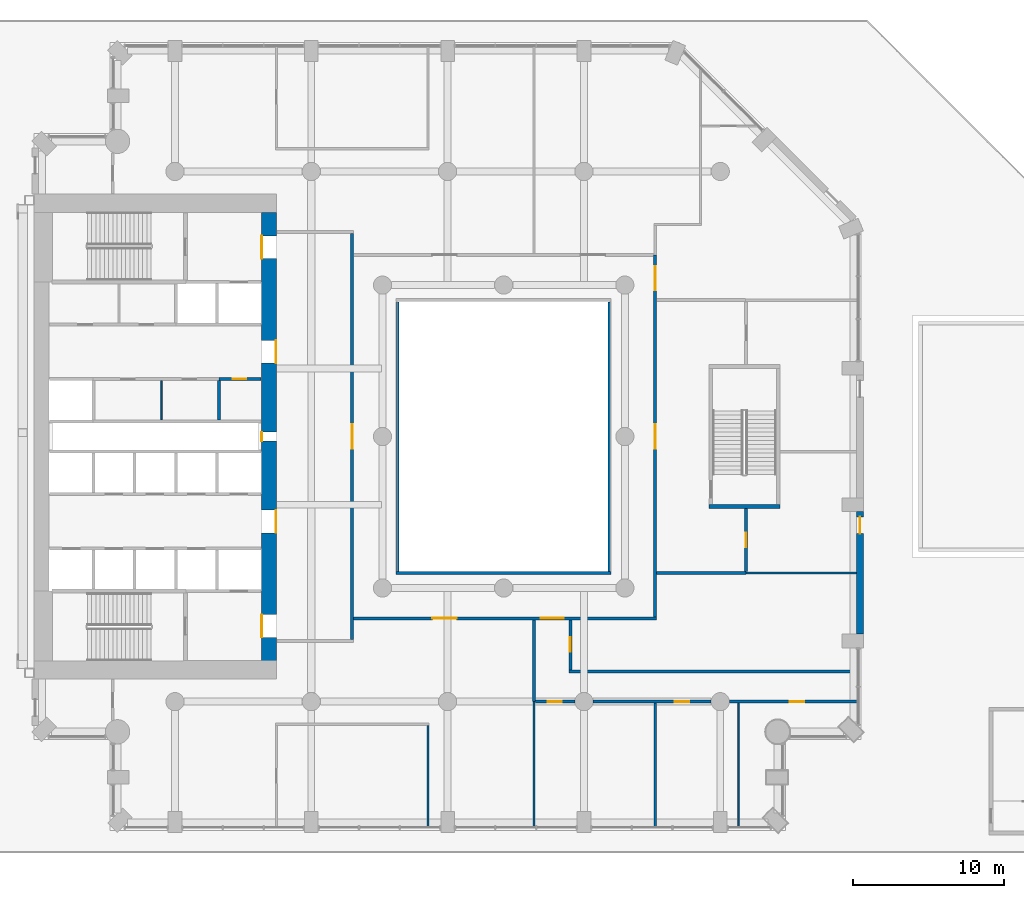
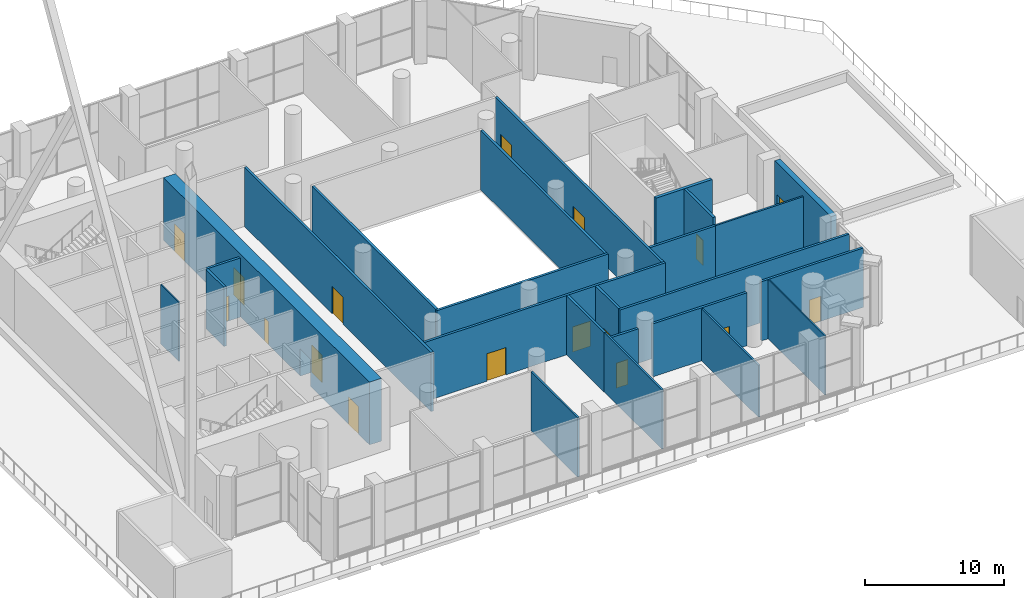
# One storey, part 14 of 26: 25 walls, 17 doors, 17 openings.
"""IFC4 building model written with IfcOpenShell, lengths in metres."""

from ifc_helpers import new_model, si_unit, direction, frame, frame_2d, origin, place, context, subcontext, project, spatial, rectangle, extrude, material, layer, layer_set, type_object, element, fill, save


model = new_model("IFC4")

# Units and contexts
model_context = context("Model", 3, precision=1e-05, world=origin(), true_north=direction((0.0, 1.0)))
body_context = subcontext(model_context, "Body", "Model", "MODEL_VIEW")
ifc_project = project(units=[si_unit("LENGTHUNIT", "METRE"), si_unit("AREAUNIT", "SQUARE_METRE"), si_unit("VOLUMEUNIT", "CUBIC_METRE"), si_unit("PLANEANGLEUNIT", "RADIAN"), si_unit("MASSUNIT", "GRAM", prefix="KILO")], contexts=[model_context])

# Site, building, storey
site_placement = place(None, origin())
site = spatial("IfcSite", under=ifc_project, at=site_placement, CompositionType="ELEMENT")
building_placement = place(site_placement, origin())
building = spatial("IfcBuilding", under=site, at=building_placement, Name="Cypress Arch Tower", CompositionType="ELEMENT")
storey_placement = place(building_placement, frame((0.0, 0.0, 50.0)))
storey = spatial("IfcBuildingStorey", under=building, at=storey_placement, Name="L06", CompositionType="ELEMENT", Elevation=50.0)

# Wall, opening, door
ifc_material_1 = material(Name="Brick (red buff blend)", Category="masonry")
ifc_layer_1 = layer(ifc_material_1, 0.449951171875)
ifc_layer_set_1 = layer_set([ifc_layer_1], Name="Brick pier and spandrel wall BW450")
wall_type_1 = type_object("IfcWallType", Name="Brick pier and spandrel wall BW450", PredefinedType="SOLIDWALL", material=ifc_layer_set_1)
wall_1_placement = place(storey_placement, frame((24.52490234375, -13.050048828125, 0.0), z_axis=(0.0, 0.0, 1.0), x_axis=(0.0, 1.0, 0.0)))
wall_1 = element("IfcWall", 1, at=wall_1_placement, inside=storey, type_object=wall_type_1, Name="Brick wall L06 A06.1", PredefinedType="SOLIDWALL", context=body_context, shape_type="SweptSolid", body=[
    extrude(rectangle(XDim=8.10009765625, YDim=0.449951171875, at=frame_2d((4.050048828125, 0.0))), origin(), (0.0, 0.0, 1.0), 5.199951171875),
])
opening_1_placement = place(wall_1_placement, frame((6.64990234375, 0.0, 0.0)))
opening_1 = element("IfcOpeningElement", 2, at=opening_1_placement, cuts=wall_1, Name="Opening DX1100", PredefinedType="OPENING", context=body_context, shape_type="SweptSolid", body=[
    extrude(rectangle(XDim=1.10009765625, YDim=2.39990234375, at=frame_2d((0.550048828125, 1.199951171875))), frame((0.0, 0.23486328125, 0.0), z_axis=(0.0, -1.0, 0.0), x_axis=(1.0, 0.0, 0.0)), (0.0, 0.0, 1.0), 0.469970703125),
])
ifc_material_2 = material(Name="Steel, powder coated, glazed vision panel", Category="steel")
door_type_1 = type_object("IfcDoorType", Name="Exit door single 1100x2400", OperationType="SINGLE_SWING_LEFT", PredefinedType="DOOR", material=ifc_material_2)
door_1_placement = place(opening_1_placement, origin())
door_1 = element("IfcDoor", 3, at=door_1_placement, inside=storey, type_object=door_type_1, Name="Exterior door L06 A06.1.1", OperationType="SINGLE_SWING_LEFT", OverallHeight=2.39990234375, OverallWidth=1.10009765625, PredefinedType="DOOR", context=body_context, shape_type="SweptSolid", body=[
    extrude(rectangle(XDim=1.10009765625, YDim=2.39990234375, at=frame_2d((0.550048828125, 1.199951171875))), frame((0.0, 0.02490234375, 0.0), z_axis=(0.0, -1.0, 0.0), x_axis=(1.0, 0.0, 0.0)), (0.0, 0.0, 1.0), 0.050048828125),
])
fill(opening_1, door_1)

# Wall, openings, doors
ifc_material_3 = material(Name="Concrete C80/95", Category="concrete")
ifc_layer_2 = layer(ifc_material_3, 1.0)
ifc_layer_set_2 = layer_set([ifc_layer_2], Name="Core wall CW1000 C80/95")
wall_type_2 = type_object("IfcWallType", Name="Core wall CW1000 C80/95", PredefinedType="SHEAR", material=ifc_layer_set_2)
wall_2_placement = place(storey_placement, frame((-14.5, -14.800048828125, 0.0), z_axis=(0.0, 0.0, 1.0), x_axis=(0.0, 1.0, 0.0)))
wall_2 = element("IfcWall", 4, at=wall_2_placement, inside=storey, type_object=wall_type_2, Name="Core wall", PredefinedType="SHEAR", context=body_context, shape_type="SweptSolid", body=[
    extrude(rectangle(XDim=29.60009765625, YDim=1.0, at=frame_2d((14.800048828125, 0.0))), origin(), (0.0, 0.0, 1.0), 5.5),
])
opening_2_placement = place(wall_2_placement, frame((1.550048828125, 0.0, 0.0)))
opening_2 = element("IfcOpeningElement", 5, at=opening_2_placement, cuts=wall_2, Name="Opening D07", PredefinedType="OPENING", context=body_context, shape_type="SweptSolid", body=[
    extrude(rectangle(XDim=1.5, YDim=2.39990234375, at=frame_2d((0.75, 1.199951171875))), frame((0.0, 0.510009765625, 0.0), z_axis=(0.0, -1.0, 0.0), x_axis=(1.0, 0.0, 0.0)), (0.0, 0.0, 1.0), 1.02001953125),
])
opening_3_placement = place(wall_2_placement, frame((26.550048828125, 0.0, 0.0)))
opening_3 = element("IfcOpeningElement", 6, at=opening_3_placement, cuts=wall_2, Name="Opening D07", PredefinedType="OPENING", context=body_context, shape_type="SweptSolid", body=[
    extrude(rectangle(XDim=1.5, YDim=2.39990234375, at=frame_2d((0.75, 1.199951171875))), frame((0.0, 0.510009765625, 0.0), z_axis=(0.0, -1.0, 0.0), x_axis=(1.0, 0.0, 0.0)), (0.0, 0.0, 1.0), 1.02001953125),
])
opening_4_placement = place(wall_2_placement, frame((8.449951171875, 0.0, 0.0)))
opening_4 = element("IfcOpeningElement", 7, at=opening_4_placement, cuts=wall_2, Name="Opening D07", PredefinedType="OPENING", context=body_context, shape_type="SweptSolid", body=[
    extrude(rectangle(XDim=1.5, YDim=2.39990234375, at=frame_2d((0.75, 1.199951171875))), frame((0.0, 0.510009765625, 0.0), z_axis=(0.0, -1.0, 0.0), x_axis=(1.0, 0.0, 0.0)), (0.0, 0.0, 1.0), 1.02001953125),
])
opening_5_placement = place(wall_2_placement, frame((19.64990234375, 0.0, 0.0)))
opening_5 = element("IfcOpeningElement", 8, at=opening_5_placement, cuts=wall_2, Name="Opening D07", PredefinedType="OPENING", context=body_context, shape_type="SweptSolid", body=[
    extrude(rectangle(XDim=1.5, YDim=2.39990234375, at=frame_2d((0.75, 1.199951171875))), frame((0.0, 0.510009765625, 0.0), z_axis=(0.0, -1.0, 0.0), x_axis=(1.0, 0.0, 0.0)), (0.0, 0.0, 1.0), 1.02001953125),
])
opening_6_placement = place(wall_2_placement, frame((14.5, 0.0, 0.0)))
opening_6 = element("IfcOpeningElement", 9, at=opening_6_placement, cuts=wall_2, Name="Opening D08", PredefinedType="OPENING", context=body_context, shape_type="SweptSolid", body=[
    extrude(rectangle(XDim=0.60009765625, YDim=2.0, at=frame_2d((0.300048828125, 1.0))), frame((0.0, 0.510009765625, 0.0), z_axis=(0.0, -1.0, 0.0), x_axis=(1.0, 0.0, 0.0)), (0.0, 0.0, 1.0), 1.02001953125),
])
ifc_material_4 = material(Name="Steel framed glazed door, fire resisting", Category="steel")
door_type_2 = type_object("IfcDoorType", Name="Lobby door D07 1500x2400", OperationType="DOUBLE_DOOR_SINGLE_SWING", PredefinedType="DOOR", material=ifc_material_4)
door_2_placement = place(opening_2_placement, origin())
door_2 = element("IfcDoor", 10, at=door_2_placement, inside=storey, type_object=door_type_2, Name="Lobby door", OperationType="DOUBLE_DOOR_SINGLE_SWING", OverallHeight=2.39990234375, OverallWidth=1.5, PredefinedType="DOOR", context=body_context, shape_type="SweptSolid", body=[
    extrude(rectangle(XDim=1.5, YDim=2.39990234375, at=frame_2d((0.75, 1.199951171875))), frame((0.0, 0.4951171875, 0.0), z_axis=(0.0, -1.0, 0.0), x_axis=(1.0, 0.0, 0.0)), (0.0, 0.0, 1.0), 0.050048828125),
])
fill(opening_2, door_2)
door_3_placement = place(opening_3_placement, origin())
door_3 = element("IfcDoor", 11, at=door_3_placement, inside=storey, type_object=door_type_2, Name="Lobby door", OperationType="DOUBLE_DOOR_SINGLE_SWING", OverallHeight=2.39990234375, OverallWidth=1.5, PredefinedType="DOOR", context=body_context, shape_type="SweptSolid", body=[
    extrude(rectangle(XDim=1.5, YDim=2.39990234375, at=frame_2d((0.75, 1.199951171875))), frame((0.0, 0.4951171875, 0.0), z_axis=(0.0, -1.0, 0.0), x_axis=(1.0, 0.0, 0.0)), (0.0, 0.0, 1.0), 0.050048828125),
])
fill(opening_3, door_3)
door_4_placement = place(opening_4_placement, origin())
door_4 = element("IfcDoor", 12, at=door_4_placement, inside=storey, type_object=door_type_2, Name="Lobby door", OperationType="DOUBLE_DOOR_SINGLE_SWING", OverallHeight=2.39990234375, OverallWidth=1.5, PredefinedType="DOOR", context=body_context, shape_type="SweptSolid", body=[
    extrude(rectangle(XDim=1.5, YDim=2.39990234375, at=frame_2d((0.75, 1.199951171875))), frame((0.0, -0.44482421875, 0.0), z_axis=(0.0, -1.0, 0.0), x_axis=(1.0, 0.0, 0.0)), (0.0, 0.0, 1.0), 0.050048828125),
])
fill(opening_4, door_4)
door_5_placement = place(opening_5_placement, origin())
door_5 = element("IfcDoor", 13, at=door_5_placement, inside=storey, type_object=door_type_2, Name="Lobby door", OperationType="DOUBLE_DOOR_SINGLE_SWING", OverallHeight=2.39990234375, OverallWidth=1.5, PredefinedType="DOOR", context=body_context, shape_type="SweptSolid", body=[
    extrude(rectangle(XDim=1.5, YDim=2.39990234375, at=frame_2d((0.75, 1.199951171875))), frame((0.0, -0.44482421875, 0.0), z_axis=(0.0, -1.0, 0.0), x_axis=(1.0, 0.0, 0.0)), (0.0, 0.0, 1.0), 0.050048828125),
])
fill(opening_5, door_5)
ifc_material_5 = material(Name="Steel access door, fire resisting", Category="steel")
door_type_3 = type_object("IfcDoorType", Name="Riser access door D08 600x2000", OperationType="SINGLE_SWING_LEFT", PredefinedType="DOOR", material=ifc_material_5)
door_6_placement = place(opening_6_placement, origin())
door_6 = element("IfcDoor", 14, at=door_6_placement, inside=storey, type_object=door_type_3, Name="Riser access door", OperationType="SINGLE_SWING_RIGHT", OverallHeight=2.0, OverallWidth=0.60009765625, PredefinedType="DOOR", context=body_context, shape_type="SweptSolid", body=[
    extrude(rectangle(XDim=0.60009765625, YDim=2.0, at=frame_2d((0.300048828125, 1.0))), frame((0.0, 0.4951171875, 0.0), z_axis=(0.0, -1.0, 0.0), x_axis=(1.0, 0.0, 0.0)), (0.0, 0.0, 1.0), 0.050048828125),
])
fill(opening_6, door_6)

# Wall, opening, door
ifc_material_6 = material(Name="Concrete blockwork, plastered, rated", Category="masonry")
ifc_layer_3 = layer(ifc_material_6, 0.199951171875)
ifc_layer_set_3 = layer_set([ifc_layer_3], Name="Corridor wall FW200")
wall_type_3 = type_object("IfcWallType", Name="Corridor wall FW200", PredefinedType="PARTITIONING", material=ifc_layer_set_3)
wall_3_placement = place(storey_placement, frame((-9.0, -13.39990234375, 0.0), z_axis=(0.0, 0.0, 1.0), x_axis=(0.0, 1.0, 0.0)))
wall_3 = element("IfcWall", 15, at=wall_3_placement, inside=storey, type_object=wall_type_3, Name="Corridor wall", PredefinedType="PARTITIONING", context=body_context, shape_type="SweptSolid", body=[
    extrude(rectangle(XDim=26.7998046875, YDim=0.199951171875, at=frame_2d((13.39990234375, 0.0))), origin(), (0.0, 0.0, 1.0), 5.199951171875),
])
opening_7_placement = place(wall_3_placement, frame((12.60009765625, 0.0, 0.0)))
opening_7 = element("IfcOpeningElement", 16, at=opening_7_placement, cuts=wall_3, Name="Opening D10", PredefinedType="OPENING", context=body_context, shape_type="SweptSolid", body=[
    extrude(rectangle(XDim=1.60009765625, YDim=2.39990234375, at=frame_2d((0.800048828125, 1.199951171875))), frame((0.0, 0.10986328125, 0.0), z_axis=(0.0, -1.0, 0.0), x_axis=(1.0, 0.0, 0.0)), (0.0, 0.0, 1.0), 0.219970703125),
])
ifc_material_7 = material(Name="Black aluminium glazed door", Category="aluminium")
door_type_4 = type_object("IfcDoorType", Name="Amenity door D10 1600x2400", OperationType="DOUBLE_DOOR_SINGLE_SWING", PredefinedType="DOOR", material=ifc_material_7)
door_7_placement = place(opening_7_placement, origin())
door_7 = element("IfcDoor", 17, at=door_7_placement, inside=storey, type_object=door_type_4, Name="Amenity door", OperationType="DOUBLE_DOOR_SINGLE_SWING", OverallHeight=2.39990234375, OverallWidth=1.60009765625, PredefinedType="DOOR", context=body_context, shape_type="SweptSolid", body=[
    extrude(rectangle(XDim=1.60009765625, YDim=2.39990234375, at=frame_2d((0.800048828125, 1.199951171875))), frame((0.0, 0.02490234375, 0.0), z_axis=(0.0, -1.0, 0.0), x_axis=(1.0, 0.0, 0.0)), (0.0, 0.0, 1.0), 0.050048828125),
])
fill(opening_7, door_7)

# Wall, openings, doors
wall_4_placement = place(storey_placement, frame((-8.89990234375, -12.0, 0.0), z_axis=(0.0, 0.0, 1.0), x_axis=(1.0, 0.0, 0.0)))
wall_4 = element("IfcWall", 18, at=wall_4_placement, inside=storey, type_object=wall_type_3, Name="Corridor wall", PredefinedType="PARTITIONING", context=body_context, shape_type="SweptSolid", body=[
    extrude(rectangle(XDim=20.0, YDim=0.199951171875, at=frame_2d((10.0, 0.0))), origin(), (0.0, 0.0, 1.0), 5.199951171875),
])
opening_8_placement = place(wall_4_placement, frame((5.199951171875, 0.0, 0.0)))
opening_8 = element("IfcOpeningElement", 19, at=opening_8_placement, cuts=wall_4, Name="Opening D10", PredefinedType="OPENING", context=body_context, shape_type="SweptSolid", body=[
    extrude(rectangle(XDim=1.60009765625, YDim=2.39990234375, at=frame_2d((0.800048828125, 1.199951171875))), frame((0.0, 0.10986328125, 0.0), z_axis=(0.0, -1.0, 0.0), x_axis=(1.0, 0.0, 0.0)), (0.0, 0.0, 1.0), 0.219970703125),
])
opening_9_placement = place(wall_4_placement, frame((12.35009765625, 0.0, 0.0)))
opening_9 = element("IfcOpeningElement", 20, at=opening_9_placement, cuts=wall_4, Name="Opening D04", PredefinedType="OPENING", context=body_context, shape_type="SweptSolid", body=[
    extrude(rectangle(XDim=1.5, YDim=2.199951171875, at=frame_2d((0.75, 1.10009765625))), frame((0.0, 0.10986328125, 0.0), z_axis=(0.0, -1.0, 0.0), x_axis=(1.0, 0.0, 0.0)), (0.0, 0.0, 1.0), 0.219970703125),
])
door_8_placement = place(opening_8_placement, origin())
door_8 = element("IfcDoor", 21, at=door_8_placement, inside=storey, type_object=door_type_4, Name="Amenity door", OperationType="DOUBLE_DOOR_SINGLE_SWING", OverallHeight=2.39990234375, OverallWidth=1.60009765625, PredefinedType="DOOR", context=body_context, shape_type="SweptSolid", body=[
    extrude(rectangle(XDim=1.60009765625, YDim=2.39990234375, at=frame_2d((0.800048828125, 1.199951171875))), frame((0.0, 0.02490234375, 0.0), z_axis=(0.0, -1.0, 0.0), x_axis=(1.0, 0.0, 0.0)), (0.0, 0.0, 1.0), 0.050048828125),
])
fill(opening_8, door_8)
ifc_material_8 = material(Name="Timber double door", Category="wood")
door_type_5 = type_object("IfcDoorType", Name="Double door D04 1500x2200", OperationType="DOUBLE_DOOR_SINGLE_SWING", PredefinedType="DOOR", material=ifc_material_8)
door_9_placement = place(opening_9_placement, origin())
door_9 = element("IfcDoor", 22, at=door_9_placement, inside=storey, type_object=door_type_5, Name="Double door", OperationType="DOUBLE_DOOR_SINGLE_SWING", OverallHeight=2.199951171875, OverallWidth=1.5, PredefinedType="DOOR", context=body_context, shape_type="SweptSolid", body=[
    extrude(rectangle(XDim=1.5, YDim=2.199951171875, at=frame_2d((0.75, 1.10009765625))), frame((0.0, 0.02490234375, 0.0), z_axis=(0.0, -1.0, 0.0), x_axis=(1.0, 0.0, 0.0)), (0.0, 0.0, 1.0), 0.050048828125),
])
fill(opening_9, door_9)

# Walls
wall_5_placement = place(storey_placement, frame((-6.0, -8.89990234375, 0.0), z_axis=(0.0, 0.0, 1.0), x_axis=(0.0, 1.0, 0.0)))
element("IfcWall", 23, at=wall_5_placement, inside=storey, type_object=wall_type_3, Name="Corridor wall", PredefinedType="PARTITIONING", context=body_context, shape_type="SweptSolid", body=[
    extrude(rectangle(XDim=17.7998046875, YDim=0.199951171875, at=frame_2d((8.89990234375, 0.0))), origin(), (0.0, 0.0, 1.0), 5.199951171875),
])
wall_6_placement = place(storey_placement, frame((-6.10009765625, -9.0, 0.0), z_axis=(0.0, 0.0, 1.0), x_axis=(1.0, 0.0, 0.0)))
element("IfcWall", 24, at=wall_6_placement, inside=storey, type_object=wall_type_3, Name="Corridor wall", PredefinedType="PARTITIONING", context=body_context, shape_type="SweptSolid", body=[
    extrude(rectangle(XDim=14.2001953125, YDim=0.199951171875, at=frame_2d((7.10009765625, 0.0))), origin(), (0.0, 0.0, 1.0), 5.199951171875),
])
wall_7_placement = place(storey_placement, frame((3.0, -17.47998046875, 0.0), z_axis=(0.0, 0.0, 1.0), x_axis=(0.0, 1.0, 0.0)))
element("IfcWall", 25, at=wall_7_placement, inside=storey, type_object=wall_type_3, Name="Corridor wall", PredefinedType="PARTITIONING", context=body_context, shape_type="SweptSolid", body=[
    extrude(rectangle(XDim=5.3798828125, YDim=0.199951171875, at=frame_2d((2.68994140625, 0.0))), origin(), (0.0, 0.0, 1.0), 5.199951171875),
])

# Wall, opening, door
wall_8_placement = place(storey_placement, frame((3.10009765625, -17.5, 0.0), z_axis=(0.0, 0.0, 1.0), x_axis=(1.0, 0.0, 0.0)))
wall_8 = element("IfcWall", 26, at=wall_8_placement, inside=storey, type_object=wall_type_3, Name="Corridor wall", PredefinedType="PARTITIONING", context=body_context, shape_type="SweptSolid", body=[
    extrude(rectangle(XDim=2.599853515625, YDim=0.199951171875, at=frame_2d((1.2998046875, 0.0))), origin(), (0.0, 0.0, 1.0), 4.64990234375),
])
opening_10_placement = place(wall_8_placement, frame((0.800048828125, 0.0, 0.0)))
opening_10 = element("IfcOpeningElement", 27, at=opening_10_placement, cuts=wall_8, Name="Opening D02", PredefinedType="OPENING", context=body_context, shape_type="SweptSolid", body=[
    extrude(rectangle(XDim=0.949951171875, YDim=2.199951171875, at=frame_2d((0.47509765625, 1.10009765625))), frame((0.0, 0.10986328125, 0.0), z_axis=(0.0, -1.0, 0.0), x_axis=(1.0, 0.0, 0.0)), (0.0, 0.0, 1.0), 0.219970703125),
])
ifc_material_9 = material(Name="Timber flush door, fire resisting", Category="wood")
door_type_6 = type_object("IfcDoorType", Name="Room door D02 950x2200", OperationType="SINGLE_SWING_LEFT", PredefinedType="DOOR", material=ifc_material_9)
door_10_placement = place(opening_10_placement, origin())
door_10 = element("IfcDoor", 28, at=door_10_placement, inside=storey, type_object=door_type_6, Name="Room door", OperationType="SINGLE_SWING_RIGHT", OverallHeight=2.199951171875, OverallWidth=0.949951171875, PredefinedType="DOOR", context=body_context, shape_type="SweptSolid", body=[
    extrude(rectangle(XDim=0.949951171875, YDim=2.199951171875, at=frame_2d((0.47509765625, 1.10009765625))), frame((0.0, 0.02490234375, 0.0), z_axis=(0.0, -1.0, 0.0), x_axis=(1.0, 0.0, 0.0)), (0.0, 0.0, 1.0), 0.050048828125),
])
fill(opening_10, door_10)

wall_9_placement = place(storey_placement, frame((6.89990234375, -17.5, 0.0), z_axis=(0.0, 0.0, 1.0), x_axis=(1.0, 0.0, 0.0)))
wall_9 = element("IfcWall", 29, at=wall_9_placement, inside=storey, type_object=wall_type_3, Name="Corridor wall", PredefinedType="PARTITIONING", context=body_context, shape_type="SweptSolid", body=[
    extrude(rectangle(XDim=7.800048828125, YDim=0.199951171875, at=frame_2d((3.89990234375, 0.0))), origin(), (0.0, 0.0, 1.0), 4.64990234375),
])
opening_11_placement = place(wall_9_placement, frame((5.39990234375, 0.0, 0.0)))
opening_11 = element("IfcOpeningElement", 30, at=opening_11_placement, cuts=wall_9, Name="Opening D02", PredefinedType="OPENING", context=body_context, shape_type="SweptSolid", body=[
    extrude(rectangle(XDim=0.949951171875, YDim=2.199951171875, at=frame_2d((0.47509765625, 1.10009765625))), frame((0.0, 0.10986328125, 0.0), z_axis=(0.0, -1.0, 0.0), x_axis=(1.0, 0.0, 0.0)), (0.0, 0.0, 1.0), 0.219970703125),
])
door_11_placement = place(opening_11_placement, origin())
door_11 = element("IfcDoor", 31, at=door_11_placement, inside=storey, type_object=door_type_6, Name="Room door", OperationType="SINGLE_SWING_RIGHT", OverallHeight=2.199951171875, OverallWidth=0.949951171875, PredefinedType="DOOR", context=body_context, shape_type="SweptSolid", body=[
    extrude(rectangle(XDim=0.949951171875, YDim=2.199951171875, at=frame_2d((0.47509765625, 1.10009765625))), frame((0.0, 0.02490234375, 0.0), z_axis=(0.0, -1.0, 0.0), x_axis=(1.0, 0.0, 0.0)), (0.0, 0.0, 1.0), 0.050048828125),
])
fill(opening_11, door_11)

wall_10_placement = place(storey_placement, frame((15.89990234375, -17.5, 0.0), z_axis=(0.0, 0.0, 1.0), x_axis=(1.0, 0.0, 0.0)))
wall_10 = element("IfcWall", 32, at=wall_10_placement, inside=storey, type_object=wall_type_3, Name="Corridor wall", PredefinedType="PARTITIONING", context=body_context, shape_type="SweptSolid", body=[
    extrude(rectangle(XDim=8.455078125, YDim=0.199951171875, at=frame_2d((4.2275390625, 0.0))), origin(), (0.0, 0.0, 1.0), 5.199951171875),
])
opening_12_placement = place(wall_10_placement, frame((4.0, 0.0, 0.0)))
opening_12 = element("IfcOpeningElement", 33, at=opening_12_placement, cuts=wall_10, Name="Opening D02", PredefinedType="OPENING", context=body_context, shape_type="SweptSolid", body=[
    extrude(rectangle(XDim=0.949951171875, YDim=2.199951171875, at=frame_2d((0.47509765625, 1.10009765625))), frame((0.0, 0.10986328125, 0.0), z_axis=(0.0, -1.0, 0.0), x_axis=(1.0, 0.0, 0.0)), (0.0, 0.0, 1.0), 0.219970703125),
])
door_12_placement = place(opening_12_placement, origin())
door_12 = element("IfcDoor", 34, at=door_12_placement, inside=storey, type_object=door_type_6, Name="Room door", OperationType="SINGLE_SWING_LEFT", OverallHeight=2.199951171875, OverallWidth=0.949951171875, PredefinedType="DOOR", context=body_context, shape_type="SweptSolid", body=[
    extrude(rectangle(XDim=0.949951171875, YDim=2.199951171875, at=frame_2d((0.47509765625, 1.10009765625))), frame((0.0, 0.02490234375, 0.0), z_axis=(0.0, -1.0, 0.0), x_axis=(1.0, 0.0, 0.0)), (0.0, 0.0, 1.0), 0.050048828125),
])
fill(opening_12, door_12)

wall_11_placement = place(storey_placement, frame((5.39990234375, -15.39990234375, 0.0), z_axis=(0.0, 0.0, 1.0), x_axis=(0.0, 1.0, 0.0)))
wall_11 = element("IfcWall", 35, at=wall_11_placement, inside=storey, type_object=wall_type_3, Name="Corridor wall", PredefinedType="PARTITIONING", context=body_context, shape_type="SweptSolid", body=[
    extrude(rectangle(XDim=3.2998046875, YDim=0.199951171875, at=frame_2d((1.64990234375, 0.0))), origin(), (0.0, 0.0, 1.0), 5.199951171875),
])
opening_13_placement = place(wall_11_placement, frame((1.199951171875, 0.0, 0.0)))
opening_13 = element("IfcOpeningElement", 36, at=opening_13_placement, cuts=wall_11, Name="Opening D02", PredefinedType="OPENING", context=body_context, shape_type="SweptSolid", body=[
    extrude(rectangle(XDim=0.949951171875, YDim=2.199951171875, at=frame_2d((0.47509765625, 1.10009765625))), frame((0.0, 0.10986328125, 0.0), z_axis=(0.0, -1.0, 0.0), x_axis=(1.0, 0.0, 0.0)), (0.0, 0.0, 1.0), 0.219970703125),
])
door_13_placement = place(opening_13_placement, origin())
door_13 = element("IfcDoor", 37, at=door_13_placement, inside=storey, type_object=door_type_6, Name="Room door", OperationType="SINGLE_SWING_LEFT", OverallHeight=2.199951171875, OverallWidth=0.949951171875, PredefinedType="DOOR", context=body_context, shape_type="SweptSolid", body=[
    extrude(rectangle(XDim=0.949951171875, YDim=2.199951171875, at=frame_2d((0.47509765625, 1.10009765625))), frame((0.0, 0.02490234375, 0.0), z_axis=(0.0, -1.0, 0.0), x_axis=(1.0, 0.0, 0.0)), (0.0, 0.0, 1.0), 0.050048828125),
])
fill(opening_13, door_13)

# Walls
wall_12_placement = place(storey_placement, frame((5.300048828125, -15.5, 0.0), z_axis=(0.0, 0.0, 1.0), x_axis=(1.0, 0.0, 0.0)))
element("IfcWall", 38, at=wall_12_placement, inside=storey, type_object=wall_type_3, Name="Corridor wall", PredefinedType="PARTITIONING", context=body_context, shape_type="SweptSolid", body=[
    extrude(rectangle(XDim=19.054931640625, YDim=0.199951171875, at=frame_2d((9.52734375, 0.0))), origin(), (0.0, 0.0, 1.0), 5.199951171875),
])
wall_13_placement = place(storey_placement, frame((8.0, -8.89990234375, 0.0), z_axis=(0.0, 0.0, 1.0), x_axis=(0.0, 1.0, 0.0)))
element("IfcWall", 39, at=wall_13_placement, inside=storey, type_object=wall_type_3, Name="Corridor wall", PredefinedType="PARTITIONING", context=body_context, shape_type="SweptSolid", body=[
    extrude(rectangle(XDim=17.7998046875, YDim=0.199951171875, at=frame_2d((8.89990234375, 0.0))), origin(), (0.0, 0.0, 1.0), 5.199951171875),
])

# Wall, openings, doors
wall_14_placement = place(storey_placement, frame((11.0, -11.89990234375, 0.0), z_axis=(0.0, 0.0, 1.0), x_axis=(0.0, 1.0, 0.0)))
wall_14 = element("IfcWall", 40, at=wall_14_placement, inside=storey, type_object=wall_type_3, Name="Corridor wall", PredefinedType="PARTITIONING", context=body_context, shape_type="SweptSolid", body=[
    extrude(rectangle(XDim=23.89990234375, YDim=0.199951171875, at=frame_2d((11.949951171875, 0.0))), origin(), (0.0, 0.0, 1.0), 5.199951171875),
])
opening_14_placement = place(wall_14_placement, frame((21.550048828125, 0.0, 0.0)))
opening_14 = element("IfcOpeningElement", 41, at=opening_14_placement, cuts=wall_14, Name="Opening D10", PredefinedType="OPENING", context=body_context, shape_type="SweptSolid", body=[
    extrude(rectangle(XDim=1.60009765625, YDim=2.39990234375, at=frame_2d((0.800048828125, 1.199951171875))), frame((0.0, 0.10986328125, 0.0), z_axis=(0.0, -1.0, 0.0), x_axis=(1.0, 0.0, 0.0)), (0.0, 0.0, 1.0), 0.219970703125),
])
opening_15_placement = place(wall_14_placement, frame((11.10009765625, 0.0, 0.0)))
opening_15 = element("IfcOpeningElement", 42, at=opening_15_placement, cuts=wall_14, Name="Opening D10", PredefinedType="OPENING", context=body_context, shape_type="SweptSolid", body=[
    extrude(rectangle(XDim=1.60009765625, YDim=2.39990234375, at=frame_2d((0.800048828125, 1.199951171875))), frame((0.0, 0.10986328125, 0.0), z_axis=(0.0, -1.0, 0.0), x_axis=(1.0, 0.0, 0.0)), (0.0, 0.0, 1.0), 0.219970703125),
])
door_14_placement = place(opening_14_placement, origin())
door_14 = element("IfcDoor", 43, at=door_14_placement, inside=storey, type_object=door_type_4, Name="Amenity door", OperationType="DOUBLE_DOOR_SINGLE_SWING", OverallHeight=2.39990234375, OverallWidth=1.60009765625, PredefinedType="DOOR", context=body_context, shape_type="SweptSolid", body=[
    extrude(rectangle(XDim=1.60009765625, YDim=2.39990234375, at=frame_2d((0.800048828125, 1.199951171875))), frame((0.0, 0.02490234375, 0.0), z_axis=(0.0, -1.0, 0.0), x_axis=(1.0, 0.0, 0.0)), (0.0, 0.0, 1.0), 0.050048828125),
])
fill(opening_14, door_14)
door_15_placement = place(opening_15_placement, origin())
door_15 = element("IfcDoor", 44, at=door_15_placement, inside=storey, type_object=door_type_4, Name="Amenity door", OperationType="DOUBLE_DOOR_SINGLE_SWING", OverallHeight=2.39990234375, OverallWidth=1.60009765625, PredefinedType="DOOR", context=body_context, shape_type="SweptSolid", body=[
    extrude(rectangle(XDim=1.60009765625, YDim=2.39990234375, at=frame_2d((0.800048828125, 1.199951171875))), frame((0.0, 0.02490234375, 0.0), z_axis=(0.0, -1.0, 0.0), x_axis=(1.0, 0.0, 0.0)), (0.0, 0.0, 1.0), 0.050048828125),
])
fill(opening_15, door_15)

# Wall
wall_15_placement = place(storey_placement, frame((11.10009765625, -9.0, 0.0), z_axis=(0.0, 0.0, 1.0), x_axis=(1.0, 0.0, 0.0)))
element("IfcWall", 45, at=wall_15_placement, inside=storey, type_object=wall_type_3, Name="Corridor wall", PredefinedType="PARTITIONING", context=body_context, shape_type="SweptSolid", body=[
    extrude(rectangle(XDim=5.89990234375, YDim=0.199951171875, at=frame_2d((2.949951171875, 0.0))), origin(), (0.0, 0.0, 1.0), 4.550048828125),
])

# Wall, opening, door
wall_16_placement = place(storey_placement, frame((17.0, -8.89990234375, 0.0), z_axis=(0.0, 0.0, 1.0), x_axis=(0.0, 1.0, 0.0)))
wall_16 = element("IfcWall", 46, at=wall_16_placement, inside=storey, type_object=wall_type_3, Name="Corridor wall", PredefinedType="PARTITIONING", context=body_context, shape_type="SweptSolid", body=[
    extrude(rectangle(XDim=4.14990234375, YDim=0.199951171875, at=frame_2d((2.074951171875, 0.0))), origin(), (0.0, 0.0, 1.0), 5.199951171875),
])
opening_16_placement = place(wall_16_placement, frame((1.60009765625, 0.0, 0.0)))
opening_16 = element("IfcOpeningElement", 47, at=opening_16_placement, cuts=wall_16, Name="Opening D02", PredefinedType="OPENING", context=body_context, shape_type="SweptSolid", body=[
    extrude(rectangle(XDim=0.949951171875, YDim=2.199951171875, at=frame_2d((0.47509765625, 1.10009765625))), frame((0.0, 0.10986328125, 0.0), z_axis=(0.0, -1.0, 0.0), x_axis=(1.0, 0.0, 0.0)), (0.0, 0.0, 1.0), 0.219970703125),
])
door_16_placement = place(opening_16_placement, origin())
door_16 = element("IfcDoor", 48, at=door_16_placement, inside=storey, type_object=door_type_6, Name="Room door", OperationType="SINGLE_SWING_LEFT", OverallHeight=2.199951171875, OverallWidth=0.949951171875, PredefinedType="DOOR", context=body_context, shape_type="SweptSolid", body=[
    extrude(rectangle(XDim=0.949951171875, YDim=2.199951171875, at=frame_2d((0.47509765625, 1.10009765625))), frame((0.0, 0.02490234375, 0.0), z_axis=(0.0, -1.0, 0.0), x_axis=(1.0, 0.0, 0.0)), (0.0, 0.0, 1.0), 0.050048828125),
])
fill(opening_16, door_16)

# Walls
ifc_material_10 = material(Name="Blockwork, plastered both sides", Category="masonry")
ifc_layer_4 = layer(ifc_material_10, 0.14990234375)
ifc_layer_set_4 = layer_set([ifc_layer_4], Name="Partition PW150")
wall_type_4 = type_object("IfcWallType", Name="Partition PW150", PredefinedType="PARTITIONING", material=ifc_layer_set_4)
wall_17_placement = place(storey_placement, frame((-4.0, -25.7548828125, 0.0), z_axis=(0.0, 0.0, 1.0), x_axis=(0.0, 1.0, 0.0)))
element("IfcWall", 49, at=wall_17_placement, inside=storey, type_object=wall_type_4, Name="Partition", PredefinedType="PARTITIONING", context=body_context, shape_type="SweptSolid", body=[
    extrude(rectangle(XDim=6.679931640625, YDim=0.14990234375, at=frame_2d((3.33984375, 0.0))), origin(), (0.0, 0.0, 1.0), 5.199951171875),
])
wall_18_placement = place(storey_placement, frame((3.0, -25.7548828125, 0.0), z_axis=(0.0, 0.0, 1.0), x_axis=(0.0, 1.0, 0.0)))
element("IfcWall", 50, at=wall_18_placement, inside=storey, type_object=wall_type_4, Name="Partition", PredefinedType="PARTITIONING", context=body_context, shape_type="SweptSolid", body=[
    extrude(rectangle(XDim=8.27490234375, YDim=0.14990234375, at=frame_2d((4.137451171875, 0.0))), origin(), (0.0, 0.0, 1.0), 5.199951171875),
])
wall_19_placement = place(storey_placement, frame((11.0, -25.7548828125, 0.0), z_axis=(0.0, 0.0, 1.0), x_axis=(0.0, 1.0, 0.0)))
element("IfcWall", 51, at=wall_19_placement, inside=storey, type_object=wall_type_4, Name="Partition", PredefinedType="PARTITIONING", context=body_context, shape_type="SweptSolid", body=[
    extrude(rectangle(XDim=8.15478515625, YDim=0.14990234375, at=frame_2d((4.077392578125, 0.0))), origin(), (0.0, 0.0, 1.0), 4.550048828125),
])
wall_20_placement = place(storey_placement, frame((17.0, -9.0, 0.0), z_axis=(0.0, 0.0, 1.0), x_axis=(1.0, 0.0, 0.0)))
element("IfcWall", 52, at=wall_20_placement, inside=storey, type_object=wall_type_4, Name="Partition", PredefinedType="PARTITIONING", context=body_context, shape_type="SweptSolid", body=[
    extrude(rectangle(XDim=7.300048828125, YDim=0.14990234375, at=frame_2d((3.64990234375, 0.0))), origin(), (0.0, 0.0, 1.0), 4.550048828125),
])

# Wall, opening, door
ifc_material_11 = material(Name="Reinforced blockwork, plastered, rated", Category="masonry")
ifc_layer_5 = layer(ifc_material_11, 0.199951171875)
ifc_layer_set_5 = layer_set([ifc_layer_5], Name="Plant and riser wall PL200")
wall_type_5 = type_object("IfcWallType", Name="Plant and riser wall PL200", PredefinedType="PARTITIONING", material=ifc_layer_set_5)
wall_21_placement = place(storey_placement, frame((-17.780029296875, 3.800048828125, 0.0), z_axis=(0.0, 0.0, 1.0), x_axis=(1.0, 0.0, 0.0)))
wall_21 = element("IfcWall", 53, at=wall_21_placement, inside=storey, type_object=wall_type_5, Name="Plant and riser wall", PredefinedType="PARTITIONING", context=body_context, shape_type="SweptSolid", body=[
    extrude(rectangle(XDim=2.75, YDim=0.199951171875, at=frame_2d((1.375, 0.0))), origin(), (0.0, 0.0, 1.0), 5.199951171875),
])
opening_17_placement = place(wall_21_placement, frame((0.89990234375, 0.0, 0.0)))
opening_17 = element("IfcOpeningElement", 54, at=opening_17_placement, cuts=wall_21, Name="Opening D05", PredefinedType="OPENING", context=body_context, shape_type="SweptSolid", body=[
    extrude(rectangle(XDim=0.89990234375, YDim=2.199951171875, at=frame_2d((0.449951171875, 1.10009765625))), frame((0.0, 0.10986328125, 0.0), z_axis=(0.0, -1.0, 0.0), x_axis=(1.0, 0.0, 0.0)), (0.0, 0.0, 1.0), 0.219970703125),
])
ifc_material_12 = material(Name="Timber flush door", Category="wood")
door_type_7 = type_object("IfcDoorType", Name="Service door D05 900x2200", OperationType="SINGLE_SWING_LEFT", PredefinedType="DOOR", material=ifc_material_12)
door_17_placement = place(opening_17_placement, origin())
door_17 = element("IfcDoor", 55, at=door_17_placement, inside=storey, type_object=door_type_7, Name="Service door", OperationType="SINGLE_SWING_RIGHT", OverallHeight=2.199951171875, OverallWidth=0.89990234375, PredefinedType="DOOR", context=body_context, shape_type="SweptSolid", body=[
    extrude(rectangle(XDim=0.89990234375, YDim=2.199951171875, at=frame_2d((0.449951171875, 1.10009765625))), frame((0.0, 0.02490234375, 0.0), z_axis=(0.0, -1.0, 0.0), x_axis=(1.0, 0.0, 0.0)), (0.0, 0.0, 1.0), 0.050048828125),
])
fill(opening_17, door_17)

# Walls
wall_22_placement = place(storey_placement, frame((-17.800048828125, 1.10009765625, 0.0), z_axis=(0.0, 0.0, 1.0), x_axis=(0.0, 1.0, 0.0)))
element("IfcWall", 56, at=wall_22_placement, inside=storey, type_object=wall_type_5, Name="Plant and riser wall", PredefinedType="PARTITIONING", context=body_context, shape_type="SweptSolid", body=[
    extrude(rectangle(XDim=2.599853515625, YDim=0.199951171875, at=frame_2d((1.2998046875, 0.0))), origin(), (0.0, 0.0, 1.0), 5.199951171875),
])
ifc_material_13 = material(Name="Concrete C50/60", Category="concrete")
ifc_layer_6 = layer(ifc_material_13, 0.25)
ifc_layer_set_6 = layer_set([ifc_layer_6], Name="Stair enclosure wall SW250")
wall_type_6 = type_object("IfcWallType", Name="Stair enclosure wall SW250", PredefinedType="SHEAR", material=ifc_layer_set_6)
wall_23_placement = place(storey_placement, frame((14.550048828125, -4.625, 0.0), z_axis=(0.0, 0.0, 1.0), x_axis=(1.0, 0.0, 0.0)))
element("IfcWall", 57, at=wall_23_placement, inside=storey, type_object=wall_type_6, Name="Stair enclosure wall", PredefinedType="SHEAR", context=body_context, shape_type="SweptSolid", body=[
    extrude(rectangle(XDim=4.699951171875, YDim=0.25, at=frame_2d((2.35009765625, 0.0))), origin(), (0.0, 0.0, 1.0), 5.199951171875),
])
ifc_material_14 = material(Name="Moisture resistant board on steel studs, tiled", Category="steel")
ifc_layer_7 = layer(ifc_material_14, 0.10009765625)
ifc_layer_set_7 = layer_set([ifc_layer_7], Name="Wet wall PW100")
wall_type_7 = type_object("IfcWallType", Name="Wet wall PW100", PredefinedType="PARTITIONING", material=ifc_layer_set_7)
wall_24_placement = place(storey_placement, frame((-21.60009765625, 1.10009765625, 0.0), z_axis=(0.0, 0.0, 1.0), x_axis=(0.0, 1.0, 0.0)))
element("IfcWall", 58, at=wall_24_placement, inside=storey, type_object=wall_type_7, Name="Wet wall", PredefinedType="PARTITIONING", context=body_context, shape_type="SweptSolid", body=[
    extrude(rectangle(XDim=2.599853515625, YDim=0.10009765625, at=frame_2d((1.2998046875, 0.0))), origin(), (0.0, 0.0, 1.0), 5.199951171875),
])
wall_25_placement = place(storey_placement, frame((16.5, -25.7548828125, 0.0), z_axis=(0.0, 0.0, 1.0), x_axis=(0.0, 1.0, 0.0)))
element("IfcWall", 59, at=wall_25_placement, inside=storey, type_object=wall_type_7, Name="Wet wall", PredefinedType="PARTITIONING", context=body_context, shape_type="SweptSolid", body=[
    extrude(rectangle(XDim=8.15478515625, YDim=0.10009765625, at=frame_2d((4.077392578125, 0.0))), origin(), (0.0, 0.0, 1.0), 5.199951171875),
])

save(model, "model.ifc")
